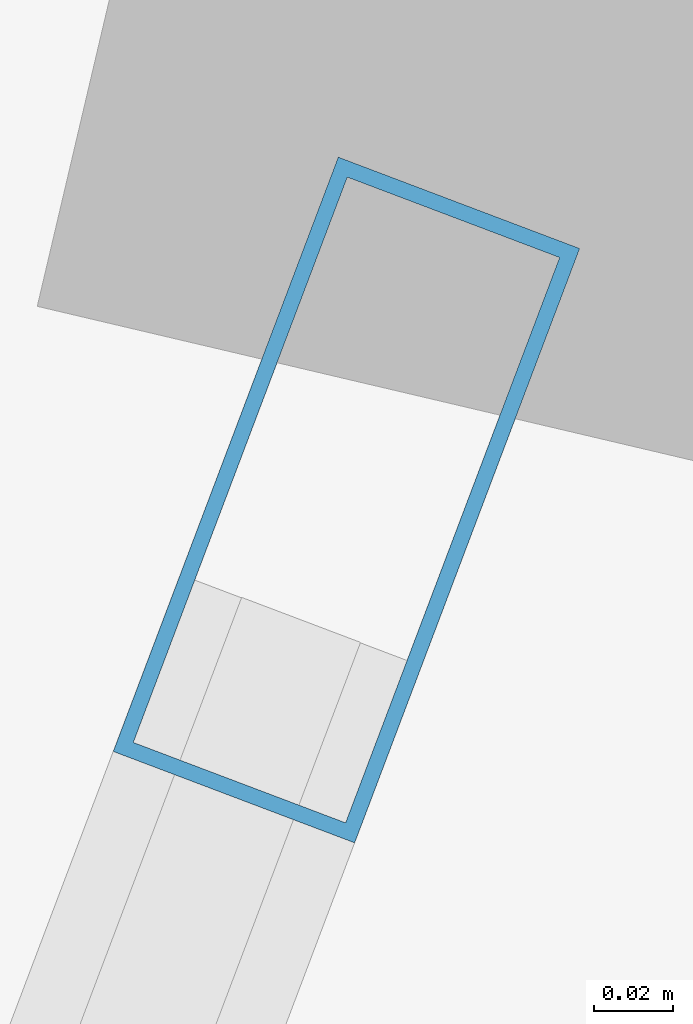
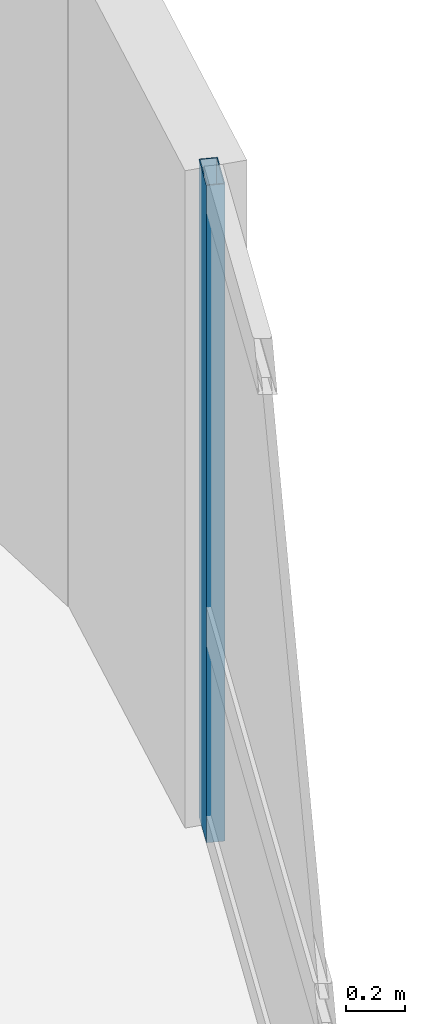
# One storey, part 15 of 25: 1 member, 1 element without a shape of its own.
"""IFC4 building model written with IfcOpenShell, lengths in metres."""

from ifc_helpers import new_model, si_unit, direction, frame, origin, origin_2d, place, context, subcontext, project, spatial, hollow_rectangle, extrude, material, layer, layer_set, material_profile, profile_set, type_object, element, aggregate, save


model = new_model("IFC4")

# Units and contexts
model_context = context("Model", 3, precision=1e-05, world=origin(), true_north=direction((0.0, 1.0)))
body_context = subcontext(model_context, "Body", "Model", "MODEL_VIEW")
ifc_project = project(units=[si_unit("LENGTHUNIT", "METRE"), si_unit("AREAUNIT", "SQUARE_METRE"), si_unit("VOLUMEUNIT", "CUBIC_METRE"), si_unit("PLANEANGLEUNIT", "RADIAN"), si_unit("MASSUNIT", "GRAM", prefix="KILO")], contexts=[model_context])

# Site, building, storey
site_placement = place(None, origin())
site = spatial("IfcSite", under=ifc_project, at=site_placement, CompositionType="ELEMENT")
building_placement = place(site_placement, origin())
building = spatial("IfcBuilding", under=site, at=building_placement, Name="Varnelok Gate Tower", CompositionType="ELEMENT")
storey_placement = place(building_placement, frame((0.0, 0.0, 83.60009765625)))
storey = spatial("IfcBuildingStorey", under=building, at=storey_placement, Name="L20", CompositionType="ELEMENT", Elevation=83.60009765625)

# Curtain wall, member
ifc_material = material(Name="Anodized Aluminum Alloy 6063-T6", Category="aluminium")
ifc_layer = layer(ifc_material, 0.179931640625)
ifc_layer_set = layer_set([ifc_layer], Name="Anodized Aluminum Alloy 6063-T6")
curtain_wall_type = type_object("IfcCurtainWallType", Name="CW3-HOTEL-VISION", PredefinedType="USERDEFINED", material=ifc_layer_set)
curtain_wall_placement = place(storey_placement, origin())
curtain_wall = element("IfcCurtainWall", 1, at=curtain_wall_placement, inside=storey, type_object=curtain_wall_type, Name="L20 East End Vision Curtain Wall", ObjectType="UNITISED CURTAIN WALL", PredefinedType="USERDEFINED")
ifc_material_profile = material_profile(ifc_material, hollow_rectangle(XDim=0.06494140625, YDim=0.159912109375, WallThickness=0.00390625, at=origin_2d()), Name="ALU160X65X4")
ifc_profile_set = profile_set([ifc_material_profile], Name="Anodized Aluminum Alloy 6063-T6")
member_type = type_object("IfcMemberType", Name="CW-MULL-160", PredefinedType="MULLION", material=ifc_profile_set)
member_placement = place(storey_placement, frame((80.443359375, 29.004638671875, 0.0), z_axis=(0.0, 0.0, 1.0), x_axis=(0.935221323688, -0.354063660545, 0.0)))
member = element("IfcMember", 2, at=member_placement, type_object=member_type, Name="CW3 mullion 1", PredefinedType="MULLION", context=body_context, shape_type="SweptSolid", body=[
    extrude(hollow_rectangle(XDim=0.06494140625, YDim=0.159912109375, WallThickness=0.00390625, at=origin_2d()), origin(), (0.0, 0.0, 1.0), 2.72998046875),
])
aggregate(curtain_wall, [member])

save(model, "model.ifc")
